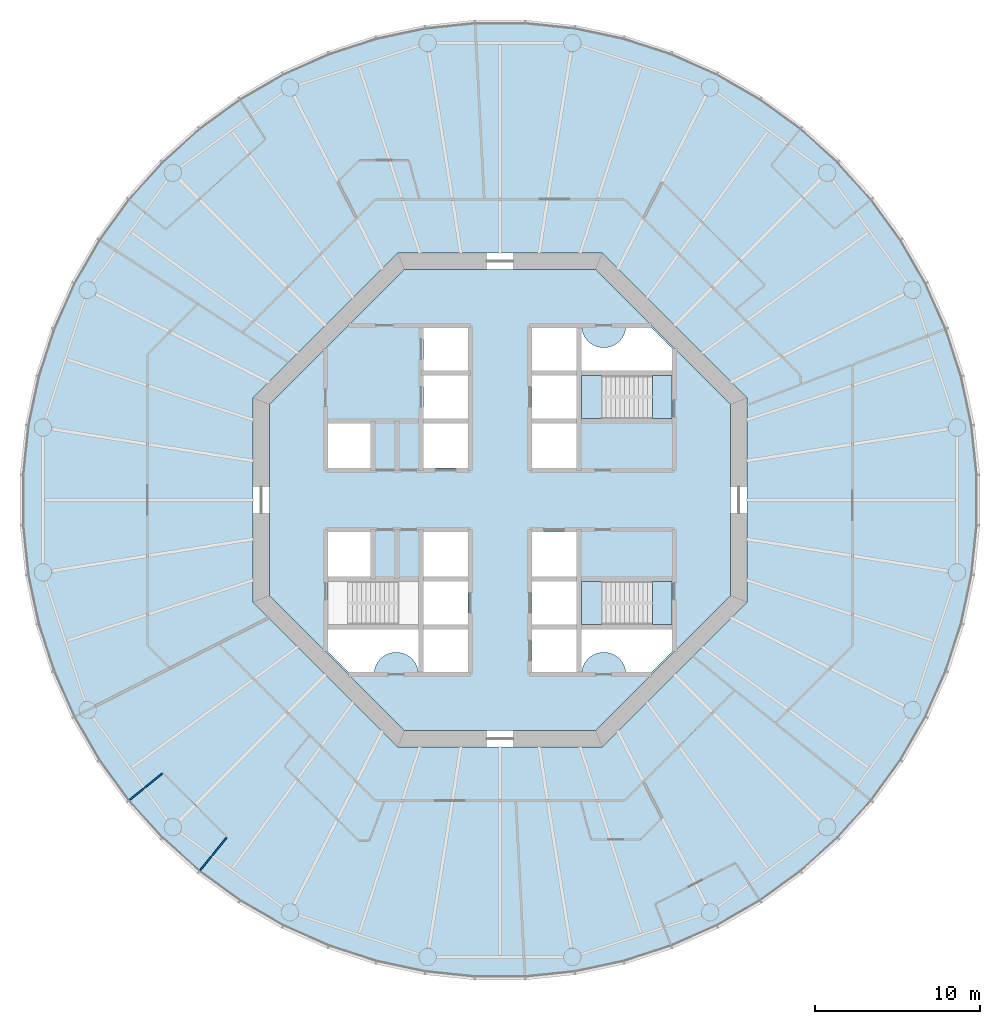
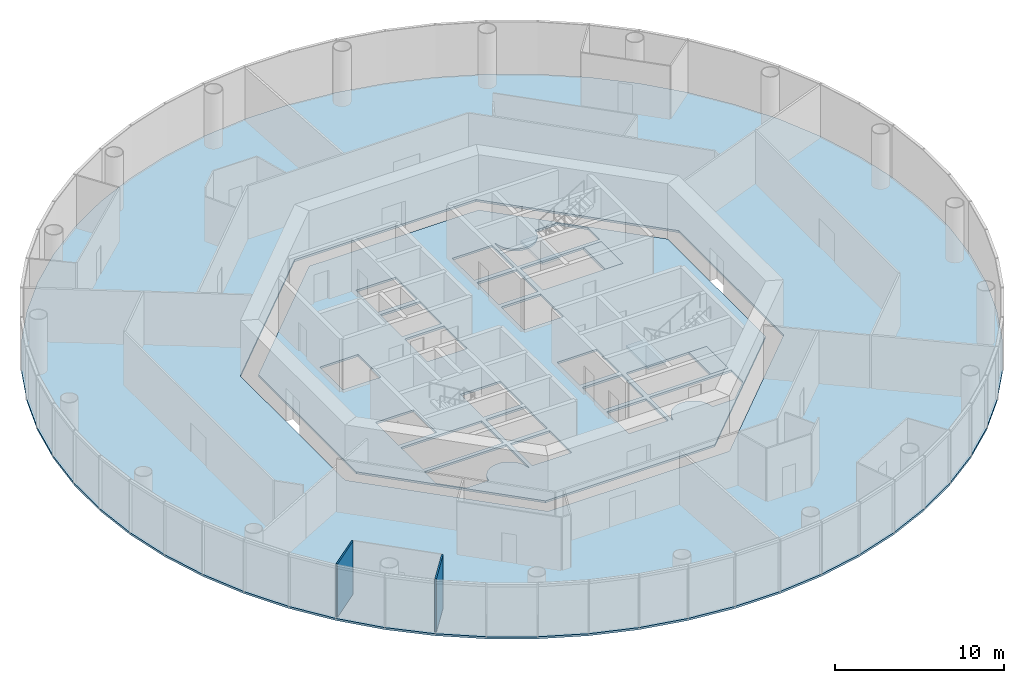
# One storey, part 2 of 13: 6 slabs, 2 walls, 2 elements without a shape of their own.
"""IFC4 building model written with IfcOpenShell, lengths in metres."""

from ifc_helpers import new_model, si_unit, direction, frame, frame_2d, origin, place, context, subcontext, project, spatial, polyline, rectangle, outline, extrude, material, layer, layer_set, type_object, element, aggregate, save


model = new_model("IFC4")

# Units and contexts
model_context = context("Model", 3, precision=1e-05, world=origin(), true_north=direction((0.0, 1.0)))
body_context = subcontext(model_context, "Body", "Model", "MODEL_VIEW")
ifc_project = project(units=[si_unit("LENGTHUNIT", "METRE"), si_unit("AREAUNIT", "SQUARE_METRE"), si_unit("VOLUMEUNIT", "CUBIC_METRE"), si_unit("PLANEANGLEUNIT", "RADIAN"), si_unit("MASSUNIT", "GRAM", prefix="KILO")], contexts=[model_context])

# Site, building, storey
site_placement = place(None, origin())
site = spatial("IfcSite", under=ifc_project, at=site_placement, CompositionType="ELEMENT")
building_placement = place(site_placement, origin())
building = spatial("IfcBuilding", under=site, at=building_placement, Name="Entoto Ring Tower", CompositionType="ELEMENT")
storey_placement = place(building_placement, frame((0.0, 0.0, 184.0)))
storey = spatial("IfcBuildingStorey", under=building, at=storey_placement, Name="L42", CompositionType="ELEMENT", Elevation=184.0)

# Slabs
ifc_material_1 = material(Name="Concrete C30/37", Category="concrete")
ifc_layer_1 = layer(ifc_material_1, 0.14990234375)
ifc_layer_set_1 = layer_set([ifc_layer_1], Name="Concrete C30/37")
slab_type_1 = type_object("IfcSlabType", Name="Composite floor slab 150 mm", PredefinedType="FLOOR", material=ifc_layer_set_1)
slab_1_placement = place(storey_placement, frame((0.0, 0.0, -0.14990234375)))
element("IfcSlab", 1, at=slab_1_placement, inside=storey, type_object=slab_type_1, Name="Floor slab L42", PredefinedType="FLOOR", context=body_context, shape_type="SweptSolid", body=[
    extrude(outline(polyline([(118.74169921875, 84.55224609375), (118.1083984375, 87.53173828125), (117.167236328125, 90.428466796875), (115.92822265625, 93.211181640625), (114.4052734375, 95.848876953125), (112.614990234375, 98.313232421875), (110.576904296875, 100.576904296875), (108.313232421875, 102.614990234375), (105.848876953125, 104.4052734375), (103.211181640625, 105.92822265625), (100.428466796875, 107.167236328125), (97.53173828125, 108.1083984375), (94.55224609375, 108.74169921875), (91.52294921875, 109.06005859375), (88.47705078125, 109.06005859375), (85.44775390625, 108.74169921875), (82.46826171875, 108.1083984375), (79.571533203125, 107.167236328125), (76.788818359375, 105.92822265625), (74.151123046875, 104.4052734375), (71.686767578125, 102.614990234375), (69.423095703125, 100.576904296875), (67.385009765625, 98.313232421875), (65.5947265625, 95.848876953125), (64.07177734375, 93.211181640625), (62.832763671875, 90.428466796875), (61.8916015625, 87.53173828125), (61.25830078125, 84.55224609375), (60.93994140625, 81.52294921875), (60.93994140625, 78.47705078125), (61.25830078125, 75.44775390625), (61.8916015625, 72.46826171875), (62.832763671875, 69.571533203125), (64.07177734375, 66.788818359375), (65.5947265625, 64.151123046875), (67.385009765625, 61.686767578125), (69.423095703125, 59.423095703125), (71.686767578125, 57.385009765625), (74.151123046875, 55.5947265625), (76.788818359375, 54.07177734375), (79.571533203125, 52.832763671875), (82.46826171875, 51.8916015625), (85.44775390625, 51.25830078125), (88.47705078125, 50.93994140625), (91.52294921875, 50.93994140625), (94.55224609375, 51.25830078125), (97.53173828125, 51.8916015625), (100.428466796875, 52.832763671875), (103.211181640625, 54.07177734375), (105.848876953125, 55.5947265625), (108.313232421875, 57.385009765625), (110.576904296875, 59.423095703125), (112.614990234375, 61.686767578125), (114.4052734375, 64.151123046875), (115.92822265625, 66.788818359375), (117.167236328125, 69.571533203125), (118.1083984375, 72.46826171875), (118.74169921875, 75.44775390625), (119.06005859375, 78.47705078125), (119.06005859375, 81.52294921875), (118.74169921875, 84.55224609375)]), holes=[polyline([(105.0, 73.786865234375), (105.0, 86.213134765625), (96.213134765625, 95.0), (83.786865234375, 95.0), (75.0, 86.213134765625), (75.0, 73.786865234375), (83.786865234375, 65.0), (96.213134765625, 65.0), (105.0, 73.786865234375)])]), origin(), (0.0, 0.0, 1.0), 0.14990234375),
])
ifc_material_2 = material(Name="Concrete C40/50", Category="concrete")
ifc_layer_2 = layer(ifc_material_2, 0.14990234375)
ifc_layer_set_2 = layer_set([ifc_layer_2], Name="Concrete C40/50")
slab_type_2 = type_object("IfcSlabType", Name="Core floor slab 150 mm reinforced concrete C40/50", PredefinedType="FLOOR", material=ifc_layer_set_2)
slab_2_placement = place(storey_placement, frame((0.0, 0.0, -0.14990234375)))
element("IfcSlab", 2, at=slab_2_placement, inside=storey, type_object=slab_type_2, Name="Core floor L42", PredefinedType="FLOOR", context=body_context, shape_type="SweptSolid", body=[
    extrude(outline(polyline([(104.0, 74.200927734375), (104.0, 85.799072265625), (95.799072265625, 94.0), (84.200927734375, 94.0), (76.0, 85.799072265625), (76.0, 74.200927734375), (84.200927734375, 66.0), (95.799072265625, 66.0), (104.0, 74.200927734375)]), holes=[polyline([(100.449951171875, 84.949951171875), (100.449951171875, 87.550048828125), (94.949951171875, 87.550048828125), (94.949951171875, 84.949951171875), (100.449951171875, 84.949951171875)]), polyline([(85.050048828125, 72.449951171875), (85.050048828125, 75.050048828125), (79.550048828125, 75.050048828125), (79.550048828125, 72.449951171875), (85.050048828125, 72.449951171875)]), polyline([(100.449951171875, 72.449951171875), (100.449951171875, 75.050048828125), (94.949951171875, 75.050048828125), (94.949951171875, 72.449951171875), (100.449951171875, 72.449951171875)]), polyline([(91.949951171875, 84.949951171875), (94.64990234375, 84.949951171875), (94.64990234375, 87.550048828125), (91.949951171875, 87.550048828125), (91.949951171875, 84.949951171875)]), polyline([(91.949951171875, 72.449951171875), (94.64990234375, 72.449951171875), (94.64990234375, 75.050048828125), (91.949951171875, 75.050048828125), (91.949951171875, 72.449951171875)]), polyline([(91.949951171875, 69.550048828125), (94.64990234375, 69.550048828125), (94.64990234375, 72.14990234375), (91.949951171875, 72.14990234375), (91.949951171875, 69.550048828125)]), polyline([(85.35009765625, 72.449951171875), (88.050048828125, 72.449951171875), (88.050048828125, 75.050048828125), (85.35009765625, 75.050048828125), (85.35009765625, 72.449951171875)]), polyline([(85.35009765625, 81.949951171875), (88.050048828125, 81.949951171875), (88.050048828125, 84.64990234375), (85.35009765625, 84.64990234375), (85.35009765625, 81.949951171875)]), polyline([(91.949951171875, 75.35009765625), (94.64990234375, 75.35009765625), (94.64990234375, 78.050048828125), (91.949951171875, 78.050048828125), (91.949951171875, 75.35009765625)]), polyline([(79.550048828125, 81.949951171875), (82.14990234375, 81.949951171875), (82.14990234375, 84.64990234375), (79.550048828125, 84.64990234375), (79.550048828125, 81.949951171875)]), polyline([(79.550048828125, 75.35009765625), (82.14990234375, 75.35009765625), (82.14990234375, 78.050048828125), (79.550048828125, 78.050048828125), (79.550048828125, 75.35009765625)]), polyline([(91.949951171875, 87.85009765625), (94.64990234375, 87.85009765625), (94.64990234375, 90.449951171875), (91.949951171875, 90.449951171875), (91.949951171875, 87.85009765625)]), polyline([(85.35009765625, 69.550048828125), (88.050048828125, 69.550048828125), (88.050048828125, 72.14990234375), (85.35009765625, 72.14990234375), (85.35009765625, 69.550048828125)]), polyline([(91.949951171875, 81.949951171875), (94.64990234375, 81.949951171875), (94.64990234375, 84.64990234375), (91.949951171875, 84.64990234375), (91.949951171875, 81.949951171875)]), polyline([(85.35009765625, 75.35009765625), (88.050048828125, 75.35009765625), (88.050048828125, 78.050048828125), (85.35009765625, 78.050048828125), (85.35009765625, 75.35009765625)]), polyline([(85.35009765625, 84.949951171875), (88.050048828125, 84.949951171875), (88.050048828125, 87.550048828125), (85.35009765625, 87.550048828125), (85.35009765625, 84.949951171875)]), polyline([(85.35009765625, 87.85009765625), (88.050048828125, 87.85009765625), (88.050048828125, 90.449951171875), (85.35009765625, 90.449951171875), (85.35009765625, 87.85009765625)]), polyline([(94.89990234375, 90.5), (94.89990234375, 87.800048828125), (100.5, 87.800048828125), (100.5, 89.15771484375), (99.15771484375, 90.5), (97.64501953125, 90.5), (97.6435546875, 90.4677734375), (97.6240234375, 90.336669921875), (97.591796875, 90.2080078125), (97.547119140625, 90.08349609375), (97.490478515625, 89.963623046875), (97.422607421875, 89.85009765625), (97.343505859375, 89.74365234375), (97.254638671875, 89.6455078125), (97.156494140625, 89.556396484375), (97.050048828125, 89.4775390625), (96.936279296875, 89.409423828125), (96.816650390625, 89.352783203125), (96.69189453125, 89.30810546875), (96.5634765625, 89.27587890625), (96.432373046875, 89.256591796875), (96.300048828125, 89.25), (96.167724609375, 89.256591796875), (96.03662109375, 89.27587890625), (95.908203125, 89.30810546875), (95.783447265625, 89.352783203125), (95.66357421875, 89.409423828125), (95.550048828125, 89.4775390625), (95.443603515625, 89.556396484375), (95.345458984375, 89.6455078125), (95.25634765625, 89.74365234375), (95.177490234375, 89.85009765625), (95.109375, 89.963623046875), (95.052734375, 90.08349609375), (95.008056640625, 90.2080078125), (94.975830078125, 90.336669921875), (94.95654296875, 90.4677734375), (94.954833984375, 90.5), (94.89990234375, 90.5)]), polyline([(79.5, 70.84228515625), (80.84228515625, 69.5), (82.35498046875, 69.5), (82.3564453125, 69.5322265625), (82.3759765625, 69.663330078125), (82.408203125, 69.7919921875), (82.452880859375, 69.91650390625), (82.509521484375, 70.036376953125), (82.577392578125, 70.14990234375), (82.656494140625, 70.25634765625), (82.745361328125, 70.3544921875), (82.843505859375, 70.443603515625), (82.949951171875, 70.5224609375), (83.063720703125, 70.590576171875), (83.183349609375, 70.647216796875), (83.30810546875, 70.69189453125), (83.4365234375, 70.72412109375), (83.567626953125, 70.743408203125), (83.699951171875, 70.75), (83.832275390625, 70.743408203125), (83.96337890625, 70.72412109375), (84.091796875, 70.69189453125), (84.216552734375, 70.647216796875), (84.33642578125, 70.590576171875), (84.449951171875, 70.5224609375), (84.556396484375, 70.443603515625), (84.654541015625, 70.3544921875), (84.74365234375, 70.25634765625), (84.822509765625, 70.14990234375), (84.890625, 70.036376953125), (84.947265625, 69.91650390625), (84.991943359375, 69.7919921875), (85.024169921875, 69.663330078125), (85.04345703125, 69.5322265625), (85.045166015625, 69.5), (85.10009765625, 69.5), (85.10009765625, 72.199951171875), (79.5, 72.199951171875), (79.5, 70.84228515625)]), polyline([(97.64501953125, 69.5), (99.15771484375, 69.5), (100.5, 70.84228515625), (100.5, 72.199951171875), (94.89990234375, 72.199951171875), (94.89990234375, 69.5), (94.954833984375, 69.5), (94.95654296875, 69.5322265625), (94.975830078125, 69.663330078125), (95.008056640625, 69.7919921875), (95.052734375, 69.91650390625), (95.109375, 70.036376953125), (95.177490234375, 70.14990234375), (95.25634765625, 70.25634765625), (95.345458984375, 70.3544921875), (95.443603515625, 70.443603515625), (95.550048828125, 70.5224609375), (95.66357421875, 70.590576171875), (95.783447265625, 70.647216796875), (95.908203125, 70.69189453125), (96.03662109375, 70.72412109375), (96.167724609375, 70.743408203125), (96.300048828125, 70.75), (96.432373046875, 70.743408203125), (96.5634765625, 70.72412109375), (96.69189453125, 70.69189453125), (96.816650390625, 70.647216796875), (96.936279296875, 70.590576171875), (97.050048828125, 70.5224609375), (97.156494140625, 70.443603515625), (97.254638671875, 70.3544921875), (97.343505859375, 70.25634765625), (97.422607421875, 70.14990234375), (97.490478515625, 70.036376953125), (97.547119140625, 69.91650390625), (97.591796875, 69.7919921875), (97.6240234375, 69.663330078125), (97.6435546875, 69.5322265625), (97.64501953125, 69.5)])]), origin(), (0.0, 0.0, 1.0), 0.14990234375),
])

# Stair, slabs
ifc_material_3 = material(Name="Concrete C40/50", Category="concrete")
stair_type = type_object("IfcStairType", Name="Exit stair 1200 mm dog-leg reinforced concrete", PredefinedType="HALF_TURN_STAIR", material=ifc_material_3)
stair_1_placement = place(storey_placement, origin())
stair_1 = element("IfcStair", 3, at=stair_1_placement, inside=storey, type_object=stair_type, Name="Exit stair 1", PredefinedType="HALF_TURN_STAIR")
ifc_material_4 = material(Name="Concrete C40/50", Category="concrete")
ifc_layer_3 = layer(ifc_material_4, 0.199951171875)
ifc_layer_set_3 = layer_set([ifc_layer_3], Name="Concrete C40/50")
slab_type_3 = type_object("IfcSlabType", Name="Stair landing 200 mm reinforced concrete", PredefinedType="LANDING", material=ifc_layer_set_3)
slab_3_placement = place(storey_placement, frame((0.0, 0.0, -0.199951171875)))
slab_3 = element("IfcSlab", 4, at=slab_3_placement, type_object=slab_type_3, Name="ST1 landing 1", PredefinedType="LANDING", context=body_context, shape_type="SweptSolid", body=[
    extrude(outline(polyline([(100.449951171875, 84.949951171875), (100.449951171875, 87.550048828125), (99.25, 87.550048828125), (99.25, 84.949951171875), (100.449951171875, 84.949951171875)])), origin(), (0.0, 0.0, 1.0), 0.199951171875),
])
slab_4_placement = place(storey_placement, frame((0.0, 0.0, 1.800048828125)))
slab_4 = element("IfcSlab", 5, at=slab_4_placement, type_object=slab_type_3, Name="ST1 landing 2", PredefinedType="LANDING", context=body_context, shape_type="SweptSolid", body=[
    extrude(outline(polyline([(94.949951171875, 84.949951171875), (96.169921875, 84.949951171875), (96.169921875, 87.550048828125), (94.949951171875, 87.550048828125), (94.949951171875, 84.949951171875)])), origin(), (0.0, 0.0, 1.0), 0.199951171875),
])
aggregate(stair_1, [slab_3, slab_4])

stair_2_placement = place(storey_placement, origin())
stair_2 = element("IfcStair", 6, at=stair_2_placement, inside=storey, type_object=stair_type, Name="Exit stair 3", PredefinedType="HALF_TURN_STAIR")
slab_5_placement = place(storey_placement, frame((0.0, 0.0, -0.199951171875)))
slab_5 = element("IfcSlab", 7, at=slab_5_placement, type_object=slab_type_3, Name="ST3 landing 1", PredefinedType="LANDING", context=body_context, shape_type="SweptSolid", body=[
    extrude(outline(polyline([(100.449951171875, 72.449951171875), (100.449951171875, 75.050048828125), (99.25, 75.050048828125), (99.25, 72.449951171875), (100.449951171875, 72.449951171875)])), origin(), (0.0, 0.0, 1.0), 0.199951171875),
])
slab_6_placement = place(storey_placement, frame((0.0, 0.0, 1.800048828125)))
slab_6 = element("IfcSlab", 8, at=slab_6_placement, type_object=slab_type_3, Name="ST3 landing 2", PredefinedType="LANDING", context=body_context, shape_type="SweptSolid", body=[
    extrude(outline(polyline([(94.949951171875, 72.449951171875), (96.169921875, 72.449951171875), (96.169921875, 75.050048828125), (94.949951171875, 75.050048828125), (94.949951171875, 72.449951171875)])), origin(), (0.0, 0.0, 1.0), 0.199951171875),
])
aggregate(stair_2, [slab_5, slab_6])

# Walls
ifc_material_5 = material(Name="Plasterboard on steel studs", Category="steel")
ifc_layer_4 = layer(ifc_material_5, 0.10009765625)
ifc_layer_set_4 = layer_set([ifc_layer_4], Name="Plasterboard on steel studs")
wall_type = type_object("IfcWallType", Name="Partition 100 mm plasterboard on steel studs", PredefinedType="PARTITIONING", material=ifc_layer_set_4)
for number, where, z_axis, x_axis, name in (
    (9, (67.509521484375, 61.78759765625, 0.0), (0.0, 0.0, 1.0), (0.777142700589, 0.629324417865, 0.0), "partition-L42-037"),
    (10, (71.78759765625, 57.509521484375, 0.0), (0.0, 0.0, 1.0), (0.629324417865, 0.777142700589, 0.0), "partition-L42-038"),
):
    element("IfcWall", number, at=place(storey_placement, frame(where, z_axis=z_axis, x_axis=x_axis)), inside=storey, type_object=wall_type, Name=name, PredefinedType="PARTITIONING", context=body_context, shape_type="SweptSolid", body=[
        extrude(rectangle(XDim=2.56005859375, YDim=0.10009765625, at=frame_2d((1.280029296875, 0.0))), origin(), (0.0, 0.0, 1.0), 3.85009765625),
    ])

save(model, "model.ifc")
